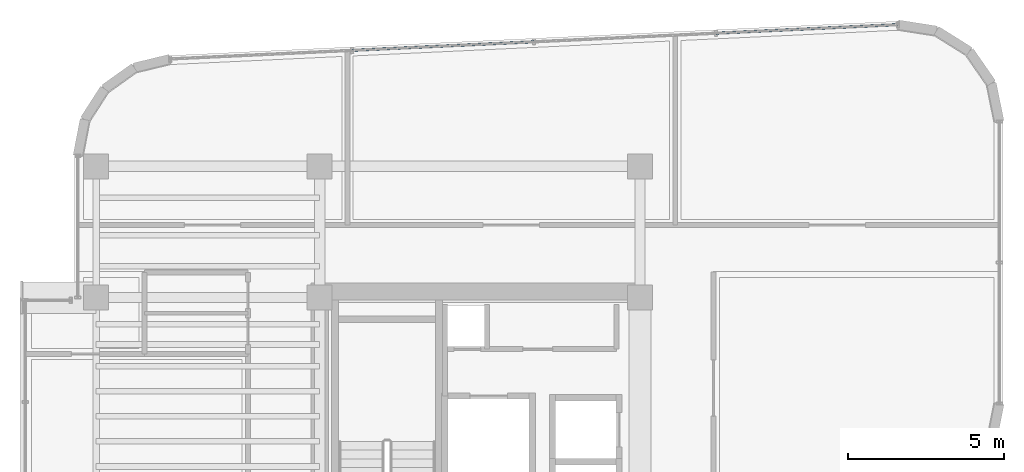
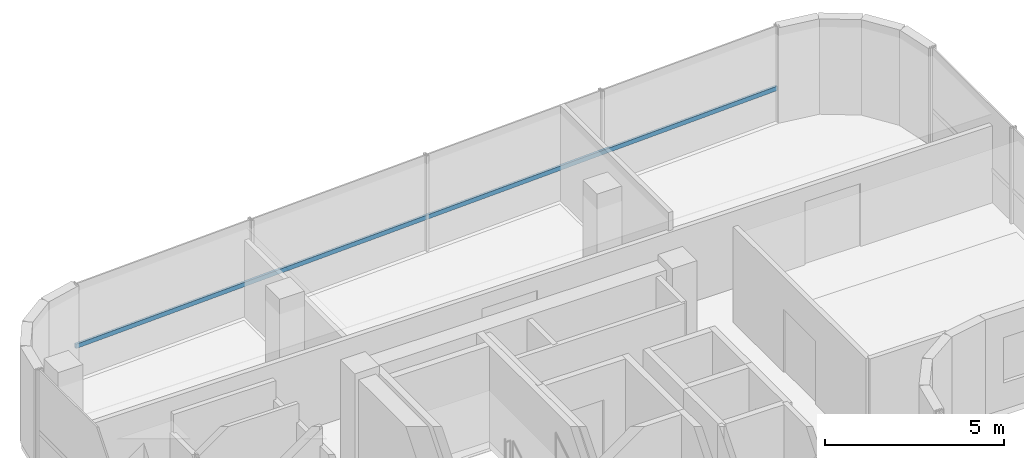
# One storey, part 11 of 18: 1 member, 1 element without a shape of its own.
"""IFC4 building model written with IfcOpenShell, lengths in metres."""

from ifc_helpers import new_model, si_unit, direction, frame, origin, origin_2d, place, context, subcontext, project, spatial, hollow_rectangle, extrude, source, transform, mapped, material, material_profile, profile_set, type_object, element, aggregate, save


model = new_model("IFC4")

# Units and contexts
model_context = context("Model", 3, precision=1e-05, world=origin(), true_north=direction((0.0, 1.0)))
body_context = subcontext(model_context, "Body", "Model", "MODEL_VIEW")
ifc_project = project(units=[si_unit("LENGTHUNIT", "METRE"), si_unit("AREAUNIT", "SQUARE_METRE"), si_unit("VOLUMEUNIT", "CUBIC_METRE"), si_unit("PLANEANGLEUNIT", "RADIAN"), si_unit("MASSUNIT", "GRAM", prefix="KILO")], contexts=[model_context])

# Site, building, storey
site_placement = place(None, origin())
site = spatial("IfcSite", under=ifc_project, at=site_placement, CompositionType="ELEMENT")
building_placement = place(site_placement, origin())
building = spatial("IfcBuilding", under=site, at=building_placement, Name="Valdorenza Pilgrim Sanctuary Tower", CompositionType="ELEMENT")
storey_placement = place(building_placement, frame((0.0, 0.0, 276.5)))
storey = spatial("IfcBuildingStorey", under=building, at=storey_placement, Name="L72", CompositionType="ELEMENT", Elevation=276.5)

# Curtain wall, member
ifc_material_1 = material(Name="Curtain-wall IGU glazing", Category="glass")
curtain_wall_type = type_object("IfcCurtainWallType", Name="CW-SYS-02", PredefinedType="NOTDEFINED", material=ifc_material_1)
curtain_wall_placement = place(storey_placement, origin())
curtain_wall = element("IfcCurtainWall", 1, at=curtain_wall_placement, inside=storey, type_object=curtain_wall_type, Name="L72 Curtain Wall CW-L72-1-6", PredefinedType="NOTDEFINED")
ifc_material_2 = material(Name="Anodised aluminium AW-6060", Category="aluminium")
ifc_material_profile = material_profile(ifc_material_2, hollow_rectangle(XDim=0.074951171875, YDim=0.14990234375, WallThickness=0.00390625, at=origin_2d()), Name="ALU-T 150x75x4")
ifc_profile_set = profile_set([ifc_material_profile], Name="Anodised aluminium AW-6060")
member_type = type_object("IfcMemberType", Name="CW-TRN-02", PredefinedType="USERDEFINED", material=ifc_profile_set)
shared_shape = source(origin(), body_context, "Body", "SweptSolid", [
    extrude(hollow_rectangle(XDim=0.074951171875, YDim=0.14990234375, WallThickness=0.00390625, at=origin_2d()), origin(), (0.0, 0.0, 1.0), 23.30419921875),
])
member_placement = place(storey_placement, frame((-27.43505859375, 18.234375, 1.1201171875), z_axis=(0.998890613053, 0.04709079693, 0.0), x_axis=(-0.04709079693, 0.998890613053, 0.0)))
member = element("IfcMember", 2, at=member_placement, type_object=member_type, Name="CW-L72-1-6 Transom 1", ObjectType="TRANSOM", PredefinedType="USERDEFINED", context=body_context, shape_type="MappedRepresentation", body=[
    mapped(shared_shape, transform((0.0, 0.0, 0.0), x_axis=(1.0, 0.0, 0.0), y_axis=(0.0, 1.0, 0.0), z_axis=(0.0, 0.0, 1.0), scale=1.0)),
])
aggregate(curtain_wall, [member])

save(model, "model.ifc")
